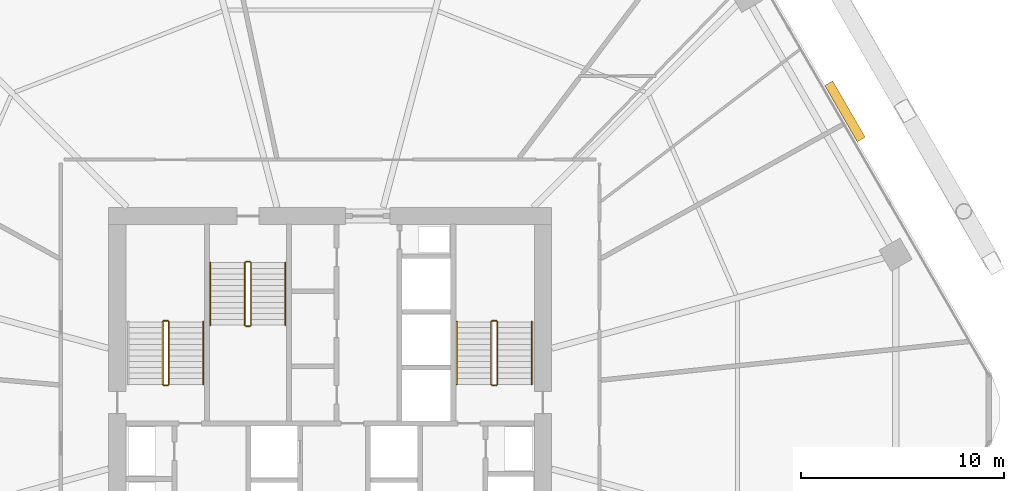
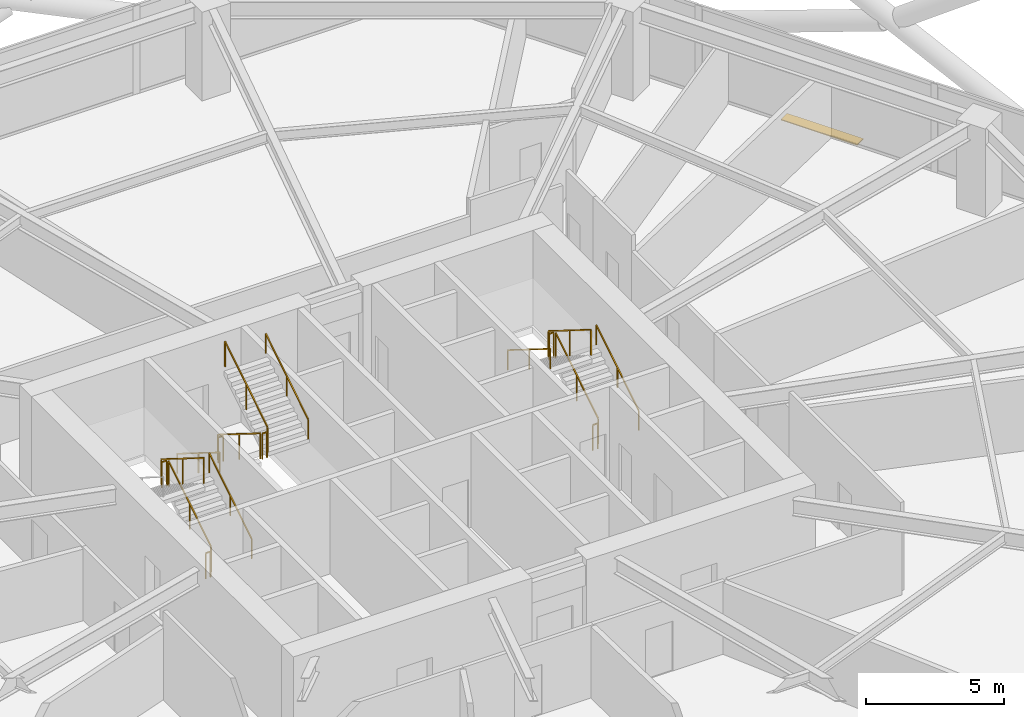
# One storey, part 29 of 30: 17 railings, 1 shading device.
"""IFC4 building model written with IfcOpenShell, lengths in metres."""

import ifcopenshell
import ifcopenshell.guid

model = None  # the IFC model being written
_history = None  # IfcOwnerHistory: only IFC2X3 demands one
_inside = {}  # id of a spatial element -> (the spatial element, [elements in it])
_under = {}  # id of a project, library or spatial element -> (it, [spatial elements below it])
_declared = {}  # id of a project -> (the project, [libraries it declares])
_typed = {}  # id of a type object -> (the type object, [elements of that type])
_made_of = {}  # id of a material, layer set ... -> (it, [elements and type objects made of it])


def new_model(schema):
    """Start an empty IFC model of exactly this schema.

    Asked for "IFC4X3", IfcOpenShell would pick the latest addendum, in which some entities
    have other attributes; the version numbers below select the first issue.
    IFC2X3 requires an IfcOwnerHistory on every rooted entity: one is made here for all.
    """
    global model, _history
    if schema == "IFC4X3":
        model = ifcopenshell.file(schema_version=(4, 3, 0, 0))
    else:
        model = ifcopenshell.file(schema=schema)
    _inside.clear()
    _under.clear()
    _declared.clear()
    _typed.clear()
    _made_of.clear()
    _history = None
    if model.schema == "IFC2X3":
        org = make("IfcOrganization", Name="unknown")
        user = make(
            "IfcPersonAndOrganization",
            ThePerson=make("IfcPerson", FamilyName="unknown"),
            TheOrganization=org,
        )
        app = make(
            "IfcApplication",
            ApplicationDeveloper=org,
            Version="unknown",
            ApplicationFullName="unknown",
            ApplicationIdentifier="unknown",
        )
        _history = make(
            "IfcOwnerHistory",
            OwningUser=user,
            OwningApplication=app,
            ChangeAction="ADDED",
            CreationDate=0,
        )
    return model


def make(cls, **values):
    """One entity of the class cls with the attributes given. An attribute that is None is left unset."""
    return model.create_entity(
        cls, **{name: value for name, value in values.items() if value is not None}
    )


def rooted(cls, **values):
    """An entity with a GlobalId (a new one), such as an element, a storey or a relation."""
    return make(cls, GlobalId=ifcopenshell.guid.new(), OwnerHistory=_history, **values)


def si_unit(unit_type, name, prefix=None):
    """IfcSIUnit, for example si_unit("LENGTHUNIT", "METRE", prefix="MILLI")."""
    return make("IfcSIUnit", UnitType=unit_type, Prefix=prefix, Name=name)


def assignment(units):
    """IfcUnitAssignment: the units of a project."""
    return None if units is None else make("IfcUnitAssignment", Units=units)


def point(xyz):
    """IfcCartesianPoint."""
    return None if xyz is None else make("IfcCartesianPoint", Coordinates=xyz)


def direction(xyz):
    """IfcDirection."""
    return None if xyz is None else make("IfcDirection", DirectionRatios=xyz)


def frame(location, z_axis=None, x_axis=None):
    """IfcAxis2Placement3D, a coordinate frame: its origin and axes. An axis left out is left unset."""
    return make(
        "IfcAxis2Placement3D",
        Location=point(location),
        Axis=direction(z_axis),
        RefDirection=direction(x_axis),
    )


def frame_2d(location, x_axis=None):
    """IfcAxis2Placement2D, a coordinate frame in the plane: its origin and x axis."""
    return make(
        "IfcAxis2Placement2D", Location=point(location), RefDirection=direction(x_axis)
    )


def origin():
    """The frame at (0, 0, 0) with its axes left unset."""
    return frame((0.0, 0.0, 0.0))


def origin_2d():
    """The frame at (0, 0) in the plane with its x axis left unset."""
    return frame_2d((0.0, 0.0))


def place(relative_to, where):
    """IfcLocalPlacement: puts the frame where relative to a parent placement (None: the world)."""
    return make(
        "IfcLocalPlacement", PlacementRelTo=relative_to, RelativePlacement=where
    )


def context(
    kind, dimensions, precision=None, world=None, true_north=None, identifier=None
):
    """IfcGeometricRepresentationContext, for example the 3D "Model" context."""
    return make(
        "IfcGeometricRepresentationContext",
        ContextIdentifier=identifier,
        ContextType=kind,
        CoordinateSpaceDimension=dimensions,
        Precision=precision,
        WorldCoordinateSystem=world,
        TrueNorth=true_north,
    )


def subcontext(parent, identifier, kind, view, scale=None):
    """IfcGeometricRepresentationSubContext, for example "Body" below "Model"."""
    return make(
        "IfcGeometricRepresentationSubContext",
        ContextIdentifier=identifier,
        ContextType=kind,
        ParentContext=parent,
        TargetScale=scale,
        TargetView=view,
    )


def project(units=None, contexts=None):
    """IfcProject with its units and contexts."""
    return rooted(
        "IfcProject",
        Name="project",
        RepresentationContexts=contexts,
        UnitsInContext=assignment(units),
    )


def spatial(cls, under=None, at=None, **own):
    """A site, building, storey or space (cls), placed at a placement, below another one or the project."""
    s = rooted(cls, ObjectPlacement=at, **own)
    if under is not None:
        _under.setdefault(under.id(), (under, []))[1].append(s)
    return s


def profile(cls, at=None, kind="AREA", **sizes):
    """A parametric profile (cls). Its sizes go by their IFC names, for example OverallWidth=200.0."""
    return make(cls, ProfileType=kind, Position=at, **sizes)


def rectangle(**sizes):
    """IfcRectangleProfileDef."""
    return profile("IfcRectangleProfileDef", **sizes)


def extrude(swept, where, along, depth):
    """IfcExtrudedAreaSolid: the profile swept, set in the frame where, extruded along a direction by depth."""
    return make(
        "IfcExtrudedAreaSolid",
        SweptArea=swept,
        Position=where,
        ExtrudedDirection=direction(along),
        Depth=depth,
    )


def shape(context_of_items, identifier, shape_type, items):
    """IfcShapeRepresentation: the items that make up one representation, for example the "Body"."""
    return make(
        "IfcShapeRepresentation",
        ContextOfItems=context_of_items,
        RepresentationIdentifier=identifier,
        RepresentationType=shape_type,
        Items=items,
    )


def material(Name=None, Category=None):
    """IfcMaterial."""
    return make("IfcMaterial", Name=Name, Category=Category)


def layer(
    of_material, thickness, ventilated=None, Name=None, Category=None, Priority=None
):
    """IfcMaterialLayer: one layer of a wall or slab, of a material (None: an air gap)."""
    return make(
        "IfcMaterialLayer",
        Material=of_material,
        LayerThickness=thickness,
        IsVentilated=ventilated,
        Name=Name,
        Category=Category,
        Priority=Priority,
    )


def layer_set(layers, Name=None):
    """IfcMaterialLayerSet."""
    return make("IfcMaterialLayerSet", MaterialLayers=layers, LayerSetName=Name)


def made_of(thing, what):
    """Note that an element or type object is made of a material, layer set ...; save() writes the relation."""
    if what is not None:
        _made_of.setdefault(what.id(), (what, []))[1].append(thing)
    return thing


def type_object(cls, material=None, **own):
    """A type object (cls), such as IfcWallType, which elements share."""
    return made_of(rooted(cls, **own), material)


def element(
    cls,
    number,
    at=None,
    inside=None,
    cuts=None,
    type_object=None,
    material=None,
    context=None,
    identifier="Body",
    shape_type=None,
    held_by="IfcProductDefinitionShape",
    body=None,
    shapes=None,
    **own,
):
    """One element of the class cls, such as IfcWall. Its Tag is "e" and its number.

    at: its placement. inside: the storey or other place that contains it. cuts: it is an
    opening in that element (IfcRelVoidsElement). A single representation is given by context,
    identifier, shape_type and body (its items); several are given by shapes. held_by: the class
    of the entity that holds the representations. save() writes the other relations.
    """
    e = rooted(cls, Tag="e%d" % number, ObjectPlacement=at, **own)
    if body is not None:
        shapes = [shape(context, identifier, shape_type, body)]
    if shapes is not None:
        e.Representation = make(held_by, Representations=shapes)
    if inside is not None:
        _inside.setdefault(inside.id(), (inside, []))[1].append(e)
    if cuts is not None:
        rooted(
            "IfcRelVoidsElement", RelatingBuildingElement=cuts, RelatedOpeningElement=e
        )
    if type_object is not None:
        _typed.setdefault(type_object.id(), (type_object, []))[1].append(e)
    return made_of(e, material)


def aggregate(whole, parts):
    """IfcRelAggregates: a whole, such as a stair, and the parts it consists of."""
    return rooted("IfcRelAggregates", RelatingObject=whole, RelatedObjects=parts)


def save(model, path):
    """Write the relations noted so far, then the file.

    IfcRelAggregates (storeys below a building ...), IfcRelContainedInSpatialStructure (elements
    in a storey), IfcRelDefinesByType, IfcRelAssociatesMaterial and IfcRelDeclares: one each for
    every whole, place, type object, material and project.
    """
    for whole, parts in _under.values():
        aggregate(whole, parts)
    for where, things in _inside.values():
        rooted(
            "IfcRelContainedInSpatialStructure",
            RelatedElements=things,
            RelatingStructure=where,
        )
    for kind, things in _typed.values():
        rooted("IfcRelDefinesByType", RelatedObjects=things, RelatingType=kind)
    for what, things in _made_of.values():
        rooted("IfcRelAssociatesMaterial", RelatedObjects=things, RelatingMaterial=what)
    for by, libraries in _declared.values():
        rooted("IfcRelDeclares", RelatingContext=by, RelatedDefinitions=libraries)
    model.write(path)


model = new_model("IFC4")

# Units and contexts
model_context = context("Model", 3, precision=1e-05, world=origin(), true_north=direction((0.0, 1.0)))
body_context = subcontext(model_context, "Body", "Model", "MODEL_VIEW")
ifc_project = project(units=[si_unit("LENGTHUNIT", "METRE"), si_unit("AREAUNIT", "SQUARE_METRE"), si_unit("VOLUMEUNIT", "CUBIC_METRE"), si_unit("PLANEANGLEUNIT", "RADIAN"), si_unit("MASSUNIT", "GRAM", prefix="KILO")], contexts=[model_context])

# Site, building, storey
site_placement = place(None, origin())
site = spatial("IfcSite", under=ifc_project, at=site_placement, CompositionType="ELEMENT")
building_placement = place(site_placement, origin())
building = spatial("IfcBuilding", under=site, at=building_placement, Name="Zuhravey Tower", CompositionType="ELEMENT")
storey_placement = place(building_placement, frame((0.0, 0.0, 58.199951171875)))
storey = spatial("IfcBuildingStorey", under=building, at=storey_placement, Name="L14", CompositionType="ELEMENT", Elevation=58.199951171875)

# Shading device
ifc_material_1 = material(Name="Bronze-anodised extruded aluminium", Category="aluminium")
ifc_layer = layer(ifc_material_1, 0.0400390625)
ifc_layer_set = layer_set([ifc_layer], Name="Bronze-anodised extruded aluminium")
shading_device_type = type_object("IfcShadingDeviceType", Name="Horizontal Sunshade Fin", PredefinedType="JALOUSIE", material=ifc_layer_set)
shading_device_placement = place(storey_placement, frame((61.394775390625, 46.66162109375, -0.099853515625), z_axis=(0.0, 0.0, 1.0), x_axis=(0.5, -0.866025403784, 0.0)))
element("IfcShadingDevice", 1, at=shading_device_placement, inside=storey, type_object=shading_device_type, Name="L14 Face 1 Horizontal Sunshade Fin SUN1", PredefinedType="JALOUSIE", context=body_context, shape_type="SweptSolid", body=[
    extrude(rectangle(XDim=3.199951171875, YDim=0.449951171875, at=origin_2d()), origin(), (0.0, 0.0, 1.0), 0.0400390625),
])

# Railings
ifc_material_2 = material(Name="Brushed stainless steel", Category="steel")
railing_type_1 = type_object("IfcRailingType", Name="Stair Wall Handrail 900", PredefinedType="HANDRAIL", material=ifc_material_2)
for number, where, name in (
    (2, (29.75, 33.199951171875, 0.175048828125), "L14 ST1 stair handrail 1"),
    (3, (45.949951171875, 33.199951171875, 0.175048828125), "L14 ST2 stair handrail 1"),
):
    element("IfcRailing", number, at=place(storey_placement, frame(where)), inside=storey, type_object=railing_type_1, Name=name, PredefinedType="HANDRAIL", context=body_context, shape_type="SweptSolid", body=[
        extrude(rectangle(XDim=0.048095703125, YDim=0.048095703125, at=origin_2d()), frame((0.0, 0.001708984375, 0.876953125), z_axis=(0.0, 0.847998304005, 0.529998940003), x_axis=(-1.0, 0.0, 0.0)), (0.0, 0.0, 1.0), 3.628173828125),
        extrude(rectangle(XDim=0.0419921875, YDim=0.0419921875, at=origin_2d()), origin(), (0.0, 0.0, 1.0), 0.849853515625),
        extrude(rectangle(XDim=0.0419921875, YDim=0.0419921875, at=origin_2d()), frame((0.0, 1.5400390625, 0.96240234375)), (0.0, 0.0, 1.0), 0.849853515625),
        extrude(rectangle(XDim=0.0419921875, YDim=0.0419921875, at=origin_2d()), frame((0.0, 3.080078125, 1.925048828125)), (0.0, 0.0, 1.0), 0.849853515625),
    ])
railing_1_placement = place(storey_placement, frame((42.25, 36.280029296875, 2.275146484375)))
element("IfcRailing", 4, at=railing_1_placement, inside=storey, type_object=railing_type_1, Name="L14 ST2 stair handrail 2", PredefinedType="HANDRAIL", context=body_context, shape_type="SweptSolid", body=[
    extrude(rectangle(XDim=0.048095703125, YDim=0.048095703125, at=origin_2d()), frame((0.0, -0.001708984375, 0.876953125), z_axis=(0.0, -0.848028513186, 0.529950602248), x_axis=(1.0, 0.0, 0.0)), (0.0, 0.0, 1.0), 3.6279296875),
    extrude(rectangle(XDim=0.0419921875, YDim=0.0419921875, at=origin_2d()), origin(), (0.0, 0.0, 1.0), 0.849853515625),
    extrude(rectangle(XDim=0.0419921875, YDim=0.0419921875, at=origin_2d()), frame((0.0, -1.5400390625, 0.96240234375)), (0.0, 0.0, 1.0), 0.849853515625),
    extrude(rectangle(XDim=0.0419921875, YDim=0.0419921875, at=origin_2d()), frame((0.0, -3.080078125, 1.9248046875)), (0.0, 0.0, 1.0), 0.849853515625),
])
railing_2_placement = place(storey_placement, frame((30.10009765625, 39.199951171875, 0.175048828125)))
element("IfcRailing", 5, at=railing_2_placement, inside=storey, type_object=railing_type_1, Name="L14 ST3 stair handrail 1", PredefinedType="HANDRAIL", context=body_context, shape_type="SweptSolid", body=[
    extrude(rectangle(XDim=0.048095703125, YDim=0.048095703125, at=origin_2d()), frame((0.0, -0.001708984375, 0.876953125), z_axis=(0.0, -0.847979421464, 0.530029150871), x_axis=(1.0, 0.0, 0.0)), (0.0, 0.0, 1.0), 3.6279296875),
    extrude(rectangle(XDim=0.0419921875, YDim=0.0419921875, at=origin_2d()), origin(), (0.0, 0.0, 1.0), 0.849853515625),
    extrude(rectangle(XDim=0.0419921875, YDim=0.0419921875, at=origin_2d()), frame((0.0, -1.5400390625, 0.96240234375)), (0.0, 0.0, 1.0), 0.849853515625),
    extrude(rectangle(XDim=0.0419921875, YDim=0.0419921875, at=origin_2d()), frame((0.0, -3.079833984375, 1.925048828125)), (0.0, 0.0, 1.0), 0.849853515625),
])
railing_3_placement = place(storey_placement, frame((33.800048828125, 36.1201171875, 2.275146484375)))
element("IfcRailing", 6, at=railing_3_placement, inside=storey, type_object=railing_type_1, Name="L14 ST3 stair handrail 2", PredefinedType="HANDRAIL", context=body_context, shape_type="SweptSolid", body=[
    extrude(rectangle(XDim=0.048095703125, YDim=0.048095703125, at=origin_2d()), frame((0.0, 0.001708984375, 0.876953125), z_axis=(0.0, 0.848009633417, 0.529980812513), x_axis=(-1.0, 0.0, 0.0)), (0.0, 0.0, 1.0), 3.6279296875),
    extrude(rectangle(XDim=0.0419921875, YDim=0.0419921875, at=origin_2d()), origin(), (0.0, 0.0, 1.0), 0.849853515625),
    extrude(rectangle(XDim=0.0419921875, YDim=0.0419921875, at=origin_2d()), frame((0.0, 1.5400390625, 0.96240234375)), (0.0, 0.0, 1.0), 0.849853515625),
    extrude(rectangle(XDim=0.0419921875, YDim=0.0419921875, at=origin_2d()), frame((0.0, 3.079833984375, 1.9248046875)), (0.0, 0.0, 1.0), 0.849853515625),
])
ifc_material_3 = material(Name="Painted tubular steel", Category="steel")
railing_type_2 = type_object("IfcRailingType", Name="Stair Well Guardrail 1150", PredefinedType="GUARDRAIL", material=ifc_material_3)
railing_4_placement = place(storey_placement, frame((28.050048828125, 33.199951171875, 0.175048828125)))
element("IfcRailing", 7, at=railing_4_placement, inside=storey, type_object=railing_type_2, Name="L14 ST1 stair guard 1", PredefinedType="GUARDRAIL", context=body_context, shape_type="SweptSolid", body=[
    extrude(rectangle(XDim=0.048095703125, YDim=0.048095703125, at=origin_2d()), frame((0.0, 0.001708984375, 1.126953125), z_axis=(0.0, 0.847998304005, 0.529998940003), x_axis=(-1.0, 0.0, 0.0)), (0.0, 0.0, 1.0), 3.628173828125),
    extrude(rectangle(XDim=0.0419921875, YDim=0.0419921875, at=origin_2d()), origin(), (0.0, 0.0, 1.0), 1.099853515625),
    extrude(rectangle(XDim=0.0419921875, YDim=0.0419921875, at=origin_2d()), frame((0.0, 1.5400390625, 0.96240234375)), (0.0, 0.0, 1.0), 1.099853515625),
    extrude(rectangle(XDim=0.0419921875, YDim=0.0419921875, at=origin_2d()), frame((0.0, 3.080078125, 1.925048828125)), (0.0, 0.0, 1.0), 1.099853515625),
])
railing_5_placement = place(storey_placement, frame((28.0, 36.330078125, 2.10009765625)))
element("IfcRailing", 8, at=railing_5_placement, inside=storey, type_object=railing_type_2, Name="L14 ST1 stair guard 2", PredefinedType="GUARDRAIL", context=body_context, shape_type="SweptSolid", body=[
    extrude(rectangle(XDim=0.048095703125, YDim=0.048095703125, at=origin_2d()), frame((-0.001953125, 0.0, 1.1259765625), z_axis=(-1.0, 0.0, 0.0), x_axis=(0.0, -1.0, 0.0)), (0.0, 0.0, 1.0), 0.196044921875),
    extrude(rectangle(XDim=0.0419921875, YDim=0.0419921875, at=origin_2d()), origin(), (0.0, 0.0, 1.0), 1.099853515625),
    extrude(rectangle(XDim=0.0419921875, YDim=0.0419921875, at=origin_2d()), frame((-0.199951171875, 0.0, 0.0)), (0.0, 0.0, 1.0), 1.099853515625),
])
railing_6_placement = place(storey_placement, frame((27.75, 36.280029296875, 2.275146484375)))
element("IfcRailing", 9, at=railing_6_placement, inside=storey, type_object=railing_type_2, Name="L14 ST1 stair guard 3", PredefinedType="GUARDRAIL", context=body_context, shape_type="SweptSolid", body=[
    extrude(rectangle(XDim=0.048095703125, YDim=0.048095703125, at=origin_2d()), frame((0.0, -0.001708984375, 1.126953125), z_axis=(0.0, -0.848028513186, 0.529950602248), x_axis=(1.0, 0.0, 0.0)), (0.0, 0.0, 1.0), 3.6279296875),
    extrude(rectangle(XDim=0.0419921875, YDim=0.0419921875, at=origin_2d()), origin(), (0.0, 0.0, 1.0), 1.099853515625),
    extrude(rectangle(XDim=0.0419921875, YDim=0.0419921875, at=origin_2d()), frame((0.0, -1.5400390625, 0.96240234375)), (0.0, 0.0, 1.0), 1.099853515625),
    extrude(rectangle(XDim=0.0419921875, YDim=0.0419921875, at=origin_2d()), frame((0.0, -3.080078125, 1.9248046875)), (0.0, 0.0, 1.0), 1.099853515625),
])
railing_7_placement = place(storey_placement, frame((28.0, 33.14990234375, 0.0)))
element("IfcRailing", 10, at=railing_7_placement, inside=storey, type_object=railing_type_2, Name="L14 ST1 stair guard 4", PredefinedType="GUARDRAIL", context=body_context, shape_type="SweptSolid", body=[
    extrude(rectangle(XDim=0.048095703125, YDim=0.048095703125, at=origin_2d()), frame((-0.001953125, 0.0, 1.1259765625), z_axis=(-1.0, 0.0, 0.0), x_axis=(0.0, -1.0, 0.0)), (0.0, 0.0, 1.0), 0.196044921875),
    extrude(rectangle(XDim=0.0419921875, YDim=0.0419921875, at=origin_2d()), origin(), (0.0, 0.0, 1.0), 1.099853515625),
    extrude(rectangle(XDim=0.0419921875, YDim=0.0419921875, at=origin_2d()), frame((-0.199951171875, 0.0, 0.0)), (0.0, 0.0, 1.0), 1.099853515625),
])
railing_8_placement = place(storey_placement, frame((44.25, 33.199951171875, 0.175048828125)))
element("IfcRailing", 11, at=railing_8_placement, inside=storey, type_object=railing_type_2, Name="L14 ST2 stair guard 1", PredefinedType="GUARDRAIL", context=body_context, shape_type="SweptSolid", body=[
    extrude(rectangle(XDim=0.048095703125, YDim=0.048095703125, at=origin_2d()), frame((0.0, 0.001708984375, 1.126953125), z_axis=(0.0, 0.847998304005, 0.529998940003), x_axis=(-1.0, 0.0, 0.0)), (0.0, 0.0, 1.0), 3.628173828125),
    extrude(rectangle(XDim=0.0419921875, YDim=0.0419921875, at=origin_2d()), origin(), (0.0, 0.0, 1.0), 1.099853515625),
    extrude(rectangle(XDim=0.0419921875, YDim=0.0419921875, at=origin_2d()), frame((0.0, 1.5400390625, 0.96240234375)), (0.0, 0.0, 1.0), 1.099853515625),
    extrude(rectangle(XDim=0.0419921875, YDim=0.0419921875, at=origin_2d()), frame((0.0, 3.080078125, 1.925048828125)), (0.0, 0.0, 1.0), 1.099853515625),
])
railing_9_placement = place(storey_placement, frame((44.199951171875, 36.330078125, 2.10009765625)))
element("IfcRailing", 12, at=railing_9_placement, inside=storey, type_object=railing_type_2, Name="L14 ST2 stair guard 2", PredefinedType="GUARDRAIL", context=body_context, shape_type="SweptSolid", body=[
    extrude(rectangle(XDim=0.048095703125, YDim=0.048095703125, at=origin_2d()), frame((-0.001953125, 0.0, 1.1259765625), z_axis=(-1.0, 0.0, 0.0), x_axis=(0.0, -1.0, 0.0)), (0.0, 0.0, 1.0), 0.196044921875),
    extrude(rectangle(XDim=0.0419921875, YDim=0.0419921875, at=origin_2d()), origin(), (0.0, 0.0, 1.0), 1.099853515625),
    extrude(rectangle(XDim=0.0419921875, YDim=0.0419921875, at=origin_2d()), frame((-0.199951171875, 0.0, 0.0)), (0.0, 0.0, 1.0), 1.099853515625),
])
railing_10_placement = place(storey_placement, frame((43.949951171875, 36.280029296875, 2.275146484375)))
element("IfcRailing", 13, at=railing_10_placement, inside=storey, type_object=railing_type_2, Name="L14 ST2 stair guard 3", PredefinedType="GUARDRAIL", context=body_context, shape_type="SweptSolid", body=[
    extrude(rectangle(XDim=0.048095703125, YDim=0.048095703125, at=origin_2d()), frame((0.0, -0.001708984375, 1.126953125), z_axis=(0.0, -0.848028513186, 0.529950602248), x_axis=(1.0, 0.0, 0.0)), (0.0, 0.0, 1.0), 3.6279296875),
    extrude(rectangle(XDim=0.0419921875, YDim=0.0419921875, at=origin_2d()), origin(), (0.0, 0.0, 1.0), 1.099853515625),
    extrude(rectangle(XDim=0.0419921875, YDim=0.0419921875, at=origin_2d()), frame((0.0, -1.5400390625, 0.96240234375)), (0.0, 0.0, 1.0), 1.099853515625),
    extrude(rectangle(XDim=0.0419921875, YDim=0.0419921875, at=origin_2d()), frame((0.0, -3.080078125, 1.9248046875)), (0.0, 0.0, 1.0), 1.099853515625),
])
railing_11_placement = place(storey_placement, frame((44.199951171875, 33.14990234375, 0.0)))
element("IfcRailing", 14, at=railing_11_placement, inside=storey, type_object=railing_type_2, Name="L14 ST2 stair guard 4", PredefinedType="GUARDRAIL", context=body_context, shape_type="SweptSolid", body=[
    extrude(rectangle(XDim=0.048095703125, YDim=0.048095703125, at=origin_2d()), frame((-0.001953125, 0.0, 1.1259765625), z_axis=(-1.0, 0.0, 0.0), x_axis=(0.0, -1.0, 0.0)), (0.0, 0.0, 1.0), 0.196044921875),
    extrude(rectangle(XDim=0.0419921875, YDim=0.0419921875, at=origin_2d()), origin(), (0.0, 0.0, 1.0), 1.099853515625),
    extrude(rectangle(XDim=0.0419921875, YDim=0.0419921875, at=origin_2d()), frame((-0.199951171875, 0.0, 0.0)), (0.0, 0.0, 1.0), 1.099853515625),
])
railing_12_placement = place(storey_placement, frame((31.800048828125, 39.199951171875, 0.175048828125)))
element("IfcRailing", 15, at=railing_12_placement, inside=storey, type_object=railing_type_2, Name="L14 ST3 stair guard 1", PredefinedType="GUARDRAIL", context=body_context, shape_type="SweptSolid", body=[
    extrude(rectangle(XDim=0.048095703125, YDim=0.048095703125, at=origin_2d()), frame((0.0, -0.001708984375, 1.126953125), z_axis=(0.0, -0.847979421464, 0.530029150871), x_axis=(1.0, 0.0, 0.0)), (0.0, 0.0, 1.0), 3.6279296875),
    extrude(rectangle(XDim=0.0419921875, YDim=0.0419921875, at=origin_2d()), origin(), (0.0, 0.0, 1.0), 1.099853515625),
    extrude(rectangle(XDim=0.0419921875, YDim=0.0419921875, at=origin_2d()), frame((0.0, -1.5400390625, 0.96240234375)), (0.0, 0.0, 1.0), 1.099853515625),
    extrude(rectangle(XDim=0.0419921875, YDim=0.0419921875, at=origin_2d()), frame((0.0, -3.079833984375, 1.925048828125)), (0.0, 0.0, 1.0), 1.099853515625),
])
railing_13_placement = place(storey_placement, frame((31.85009765625, 36.070068359375, 2.10009765625)))
element("IfcRailing", 16, at=railing_13_placement, inside=storey, type_object=railing_type_2, Name="L14 ST3 stair guard 2", PredefinedType="GUARDRAIL", context=body_context, shape_type="SweptSolid", body=[
    extrude(rectangle(XDim=0.048095703125, YDim=0.048095703125, at=origin_2d()), frame((0.001953125, 0.0, 1.1259765625), z_axis=(1.0, 0.0, 0.0), x_axis=(0.0, 1.0, 0.0)), (0.0, 0.0, 1.0), 0.196044921875),
    extrude(rectangle(XDim=0.0419921875, YDim=0.0419921875, at=origin_2d()), origin(), (0.0, 0.0, 1.0), 1.099853515625),
    extrude(rectangle(XDim=0.0419921875, YDim=0.0419921875, at=origin_2d()), frame((0.199951171875, 0.0, 0.0)), (0.0, 0.0, 1.0), 1.099853515625),
])
railing_14_placement = place(storey_placement, frame((32.10009765625, 36.1201171875, 2.275146484375)))
element("IfcRailing", 17, at=railing_14_placement, inside=storey, type_object=railing_type_2, Name="L14 ST3 stair guard 3", PredefinedType="GUARDRAIL", context=body_context, shape_type="SweptSolid", body=[
    extrude(rectangle(XDim=0.048095703125, YDim=0.048095703125, at=origin_2d()), frame((0.0, 0.001708984375, 1.126953125), z_axis=(0.0, 0.848009633417, 0.529980812513), x_axis=(-1.0, 0.0, 0.0)), (0.0, 0.0, 1.0), 3.6279296875),
    extrude(rectangle(XDim=0.0419921875, YDim=0.0419921875, at=origin_2d()), origin(), (0.0, 0.0, 1.0), 1.099853515625),
    extrude(rectangle(XDim=0.0419921875, YDim=0.0419921875, at=origin_2d()), frame((0.0, 1.5400390625, 0.96240234375)), (0.0, 0.0, 1.0), 1.099853515625),
    extrude(rectangle(XDim=0.0419921875, YDim=0.0419921875, at=origin_2d()), frame((0.0, 3.079833984375, 1.9248046875)), (0.0, 0.0, 1.0), 1.099853515625),
])
railing_15_placement = place(storey_placement, frame((31.85009765625, 39.25, 0.0)))
element("IfcRailing", 18, at=railing_15_placement, inside=storey, type_object=railing_type_2, Name="L14 ST3 stair guard 4", PredefinedType="GUARDRAIL", context=body_context, shape_type="SweptSolid", body=[
    extrude(rectangle(XDim=0.048095703125, YDim=0.048095703125, at=origin_2d()), frame((0.001953125, 0.0, 1.1259765625), z_axis=(1.0, 0.0, 0.0), x_axis=(0.0, 1.0, 0.0)), (0.0, 0.0, 1.0), 0.196044921875),
    extrude(rectangle(XDim=0.0419921875, YDim=0.0419921875, at=origin_2d()), origin(), (0.0, 0.0, 1.0), 1.099853515625),
    extrude(rectangle(XDim=0.0419921875, YDim=0.0419921875, at=origin_2d()), frame((0.199951171875, 0.0, 0.0)), (0.0, 0.0, 1.0), 1.099853515625),
])

save(model, "model.ifc")
